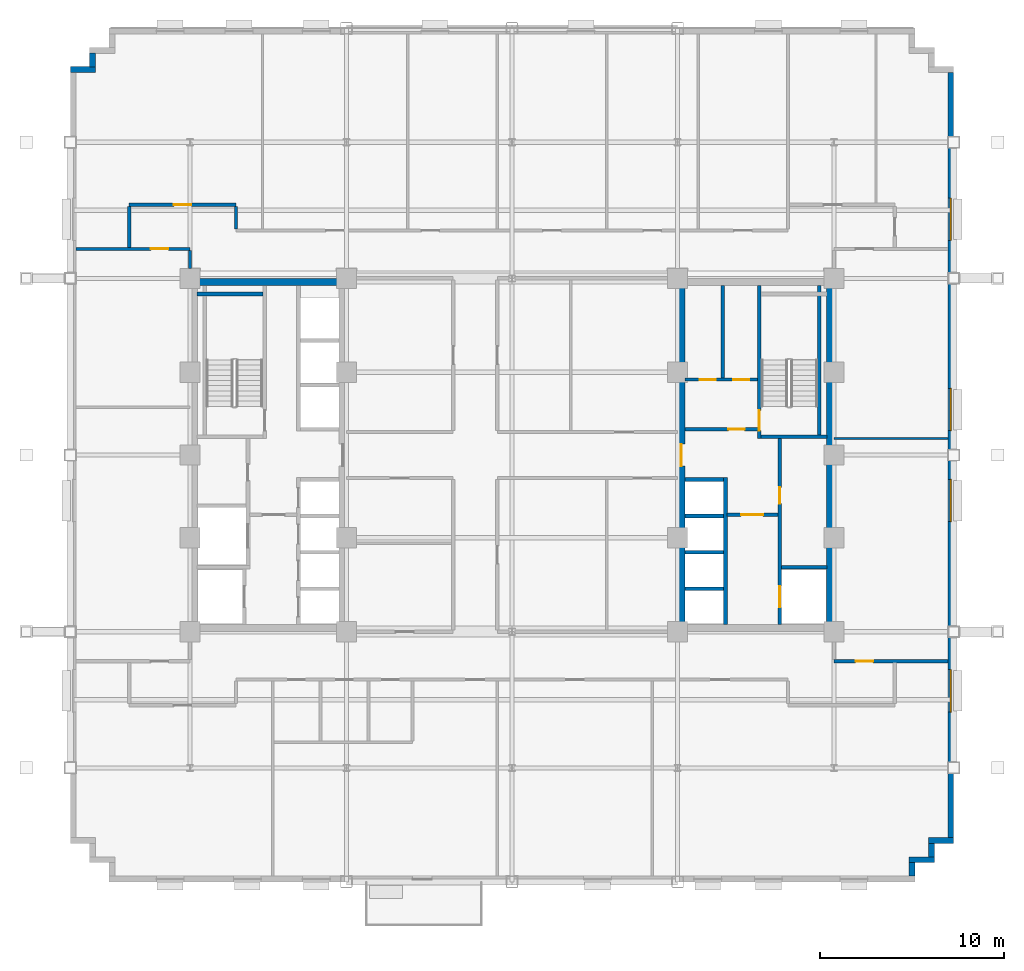
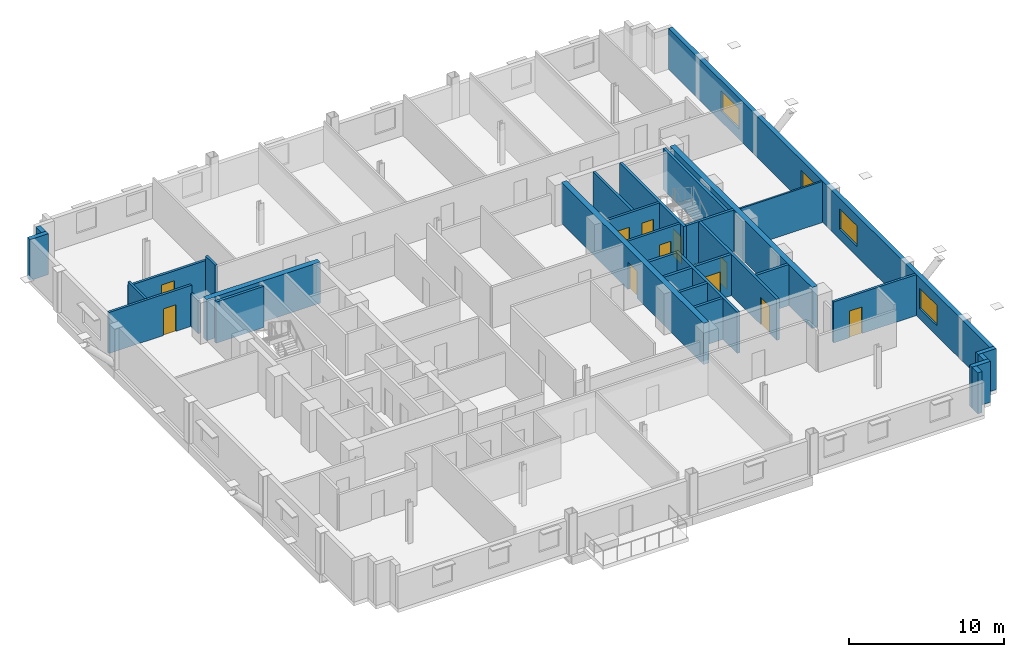
# One storey, part 8 of 14: 32 walls, 11 doors, 4 windows, 15 openings.
"""IFC4 building model written with IfcOpenShell, lengths in metres."""

from ifc_helpers import new_model, si_unit, direction, frame, frame_2d, origin, place, context, subcontext, project, spatial, rectangle, extrude, source, transform, mapped, material, layer, layer_set, type_object, type_shapes, element, fill, save


model = new_model("IFC4")

# Units and contexts
model_context = context("Model", 3, precision=1e-05, world=origin(), true_north=direction((0.0, 1.0)))
body_context = subcontext(model_context, "Body", "Model", "MODEL_VIEW")
ifc_project = project(units=[si_unit("LENGTHUNIT", "METRE"), si_unit("AREAUNIT", "SQUARE_METRE"), si_unit("VOLUMEUNIT", "CUBIC_METRE"), si_unit("PLANEANGLEUNIT", "RADIAN"), si_unit("MASSUNIT", "GRAM", prefix="KILO")], contexts=[model_context])

# Site, building, storey
site_placement = place(None, origin())
site = spatial("IfcSite", under=ifc_project, at=site_placement, CompositionType="ELEMENT")
building_placement = place(site_placement, origin())
building = spatial("IfcBuilding", under=site, at=building_placement, Name="Nuvemarco Arch Tower", CompositionType="ELEMENT")
storey_placement = place(building_placement, frame((0.0, 0.0, 112.89990234375)))
storey = spatial("IfcBuildingStorey", under=building, at=storey_placement, Name="L29", CompositionType="ELEMENT", Elevation=112.89990234375)

# Walls
ifc_material_1 = material(Name="Precast concrete C45/55", Category="concrete")
ifc_layer_1 = layer(ifc_material_1, 0.320068359375, Name="EW-MID-320")
ifc_layer_set_1 = layer_set([ifc_layer_1], Name="Precast concrete C45/55")
wall_type_1 = type_object("IfcWallType", Name="EW-MID-320", PredefinedType="STANDARD", material=ifc_layer_set_1)
wall_1_placement = place(storey_placement, frame((21.739990234375, -22.884033203125, 0.0), z_axis=(0.0, 0.0, 1.0), x_axis=(0.0, 1.0, 0.0)))
element("IfcWall", 1, at=wall_1_placement, inside=storey, type_object=wall_type_1, Name="L29 exterior precast facade wall 2", PredefinedType="STANDARD", context=body_context, shape_type="SweptSolid", body=[
    extrude(rectangle(XDim=0.738037109375, YDim=0.320068359375, at=frame_2d((0.369140625, 0.0))), origin(), (0.0, 0.0, 1.0), 3.239990234375),
])
wall_2_placement = place(storey_placement, frame((21.580078125, -21.989990234375, 0.0), z_axis=(0.0, 0.0, 1.0), x_axis=(1.0, 0.0, 0.0)))
element("IfcWall", 2, at=wall_2_placement, inside=storey, type_object=wall_type_1, Name="L29 exterior precast facade wall 3", PredefinedType="STANDARD", context=body_context, shape_type="SweptSolid", body=[
    extrude(rectangle(XDim=1.369873046875, YDim=0.320068359375, at=frame_2d((0.68505859375, 0.0))), origin(), (0.0, 0.0, 1.0), 3.239990234375),
])
wall_3_placement = place(storey_placement, frame((22.7900390625, -21.833984375, 0.0), z_axis=(0.0, 0.0, 1.0), x_axis=(0.0, 1.0, 0.0)))
element("IfcWall", 3, at=wall_3_placement, inside=storey, type_object=wall_type_1, Name="L29 exterior precast facade wall 4", PredefinedType="STANDARD", context=body_context, shape_type="SweptSolid", body=[
    extrude(rectangle(XDim=0.738037109375, YDim=0.320068359375, at=frame_2d((0.369140625, 0.0))), origin(), (0.0, 0.0, 1.0), 3.239990234375),
])
wall_4_placement = place(storey_placement, frame((22.6298828125, -20.93994140625, 0.0), z_axis=(0.0, 0.0, 1.0), x_axis=(1.0, 0.0, 0.0)))
element("IfcWall", 4, at=wall_4_placement, inside=storey, type_object=wall_type_1, Name="L29 exterior precast facade wall 5", PredefinedType="STANDARD", context=body_context, shape_type="SweptSolid", body=[
    extrude(rectangle(XDim=1.3701171875, YDim=0.320068359375, at=frame_2d((0.68505859375, 0.0))), origin(), (0.0, 0.0, 1.0), 3.239990234375),
])

# Wall, openings, windows
wall_5_placement = place(storey_placement, frame((23.840087890625, -20.783935546875, 0.0), z_axis=(0.0, 0.0, 1.0), x_axis=(0.0, 1.0, 0.0)))
wall_5 = element("IfcWall", 5, at=wall_5_placement, inside=storey, type_object=wall_type_1, Name="L29 exterior precast facade wall 6", PredefinedType="STANDARD", context=body_context, shape_type="SweptSolid", body=[
    extrude(rectangle(XDim=41.56787109375, YDim=0.320068359375, at=frame_2d((20.783935546875, 0.0))), origin(), (0.0, 0.0, 1.0), 3.239990234375),
])
opening_1_placement = place(wall_5_placement, frame((6.819091796875, 0.0, 0.800048828125)))
opening_1 = element("IfcOpeningElement", 6, at=opening_1_placement, cuts=wall_5, Name="Opening WN-10", PredefinedType="OPENING", context=body_context, shape_type="SweptSolid", body=[
    extrude(rectangle(XDim=2.300048828125, YDim=1.6201171875, at=frame_2d((1.14990234375, 0.81005859375))), frame((0.0, 0.169921875, 0.0), z_axis=(0.0, -1.0, 0.0), x_axis=(1.0, 0.0, 0.0)), (0.0, 0.0, 1.0), 0.340087890625),
])
opening_2_placement = place(wall_5_placement, frame((17.160888671875, 0.0, 0.800048828125)))
opening_2 = element("IfcOpeningElement", 7, at=opening_2_placement, cuts=wall_5, Name="Opening WN-10", PredefinedType="OPENING", context=body_context, shape_type="SweptSolid", body=[
    extrude(rectangle(XDim=2.300048828125, YDim=1.6201171875, at=frame_2d((1.14990234375, 0.81005859375))), frame((0.0, 0.169921875, 0.0), z_axis=(0.0, -1.0, 0.0), x_axis=(1.0, 0.0, 0.0)), (0.0, 0.0, 1.0), 0.340087890625),
])
opening_3_placement = place(wall_5_placement, frame((22.10693359375, 0.0, 0.800048828125)))
opening_3 = element("IfcOpeningElement", 8, at=opening_3_placement, cuts=wall_5, Name="Opening WN-10", PredefinedType="OPENING", context=body_context, shape_type="SweptSolid", body=[
    extrude(rectangle(XDim=2.300048828125, YDim=1.6201171875, at=frame_2d((1.14990234375, 0.81005859375))), frame((0.0, 0.169921875, 0.0), z_axis=(0.0, -1.0, 0.0), x_axis=(1.0, 0.0, 0.0)), (0.0, 0.0, 1.0), 0.340087890625),
])
opening_4_placement = place(wall_5_placement, frame((32.448974609375, 0.0, 0.800048828125)))
opening_4 = element("IfcOpeningElement", 9, at=opening_4_placement, cuts=wall_5, Name="Opening WN-10", PredefinedType="OPENING", context=body_context, shape_type="SweptSolid", body=[
    extrude(rectangle(XDim=2.300048828125, YDim=1.6201171875, at=frame_2d((1.14990234375, 0.81005859375))), frame((0.0, 0.169921875, 0.0), z_axis=(0.0, -1.0, 0.0), x_axis=(1.0, 0.0, 0.0)), (0.0, 0.0, 1.0), 0.340087890625),
])
ifc_material_2 = material(Name="Insulated solar-control glass", Category="glass")
window_type = type_object("IfcWindowType", Name="WN-STEP-2300x1700", PartitioningType="DOUBLE_PANEL_VERTICAL", PredefinedType="WINDOW", material=ifc_material_2)
shared_shape_1 = source(origin(), body_context, "Body", "SweptSolid", [
    extrude(rectangle(XDim=2.300048828125, YDim=1.6201171875, at=frame_2d((1.14990234375, 0.81005859375))), frame((0.0, 0.030029296875, 0.0), z_axis=(0.0, -1.0, 0.0), x_axis=(1.0, 0.0, 0.0)), (0.0, 0.0, 1.0), 0.06005859375),
])
type_shapes(window_type, [shared_shape_1])
window_1_placement = place(opening_1_placement, origin())
window_1 = element("IfcWindow", 10, at=window_1_placement, inside=storey, type_object=window_type, Name="L29 punched facade window 2", OverallHeight=1.6201171875, OverallWidth=2.300048828125, PartitioningType="SINGLE_PANEL", PredefinedType="WINDOW", context=body_context, shape_type="MappedRepresentation", body=[
    mapped(shared_shape_1, transform((0.0, 0.0, 0.0), scale=1.0)),
])
fill(opening_1, window_1)
window_2_placement = place(opening_2_placement, origin())
window_2 = element("IfcWindow", 11, at=window_2_placement, inside=storey, type_object=window_type, Name="L29 punched facade window 4", OverallHeight=1.6201171875, OverallWidth=2.300048828125, PartitioningType="SINGLE_PANEL", PredefinedType="WINDOW", context=body_context, shape_type="MappedRepresentation", body=[
    mapped(shared_shape_1, transform((0.0, 0.0, 0.0), scale=1.0)),
])
fill(opening_2, window_2)
window_3_placement = place(opening_3_placement, origin())
window_3 = element("IfcWindow", 12, at=window_3_placement, inside=storey, type_object=window_type, Name="L29 punched facade window 5", OverallHeight=1.6201171875, OverallWidth=2.300048828125, PartitioningType="SINGLE_PANEL", PredefinedType="WINDOW", context=body_context, shape_type="MappedRepresentation", body=[
    mapped(shared_shape_1, transform((0.0, 0.0, 0.0), scale=1.0)),
])
fill(opening_3, window_3)
window_4_placement = place(opening_4_placement, origin())
window_4 = element("IfcWindow", 13, at=window_4_placement, inside=storey, type_object=window_type, Name="L29 punched facade window 7", OverallHeight=1.6201171875, OverallWidth=2.300048828125, PartitioningType="SINGLE_PANEL", PredefinedType="WINDOW", context=body_context, shape_type="MappedRepresentation", body=[
    mapped(shared_shape_1, transform((0.0, 0.0, 0.0), scale=1.0)),
])
fill(opening_4, window_4)

# Walls
wall_6_placement = place(storey_placement, frame((-22.7900390625, 21.095947265625, 0.0), z_axis=(0.0, 0.0, 1.0), x_axis=(0.0, 1.0, 0.0)))
element("IfcWall", 14, at=wall_6_placement, inside=storey, type_object=wall_type_1, Name="L29 exterior precast facade wall 14", PredefinedType="STANDARD", context=body_context, shape_type="SweptSolid", body=[
    extrude(rectangle(XDim=0.738037109375, YDim=0.320068359375, at=frame_2d((0.369140625, 0.0))), origin(), (0.0, 0.0, 1.0), 3.239990234375),
])
wall_7_placement = place(storey_placement, frame((-24.0, 20.93994140625, 0.0), z_axis=(0.0, 0.0, 1.0), x_axis=(1.0, 0.0, 0.0)))
element("IfcWall", 15, at=wall_7_placement, inside=storey, type_object=wall_type_1, Name="L29 exterior precast facade wall 15", PredefinedType="STANDARD", context=body_context, shape_type="SweptSolid", body=[
    extrude(rectangle(XDim=1.3701171875, YDim=0.320068359375, at=frame_2d((0.68505859375, 0.0))), origin(), (0.0, 0.0, 1.0), 3.239990234375),
])
ifc_material_3 = material(Name="Concrete C60/75", Category="concrete")
ifc_layer_2 = layer(ifc_material_3, 0.39990234375, Name="WL-CORE-400")
ifc_layer_set_2 = layer_set([ifc_layer_2], Name="Concrete C60/75")
wall_type_2 = type_object("IfcWallType", Name="WL-CORE-400", PredefinedType="SHEAR", material=ifc_layer_set_2)
wall_8_placement = place(storey_placement, frame((-17.5, 9.39990234375, 0.0), z_axis=(0.0, 0.0, 1.0), x_axis=(1.0, 0.0, 0.0)))
element("IfcWall", 16, at=wall_8_placement, inside=storey, type_object=wall_type_2, Name="L29 W-core shear wall N", PredefinedType="SHEAR", context=body_context, shape_type="SweptSolid", body=[
    extrude(rectangle(XDim=8.5, YDim=0.39990234375, at=frame_2d((4.25, 0.0))), origin(), (0.0, 0.0, 1.0), 3.25),
])

# Wall, opening, door
wall_9_placement = place(storey_placement, frame((9.199951171875, -9.205078125, 0.0), z_axis=(0.0, 0.0, 1.0), x_axis=(0.0, 1.0, 0.0)))
wall_9 = element("IfcWall", 17, at=wall_9_placement, inside=storey, type_object=wall_type_2, Name="L29 E-core shear wall W", PredefinedType="SHEAR", context=body_context, shape_type="SweptSolid", body=[
    extrude(rectangle(XDim=18.41015625, YDim=0.39990234375, at=frame_2d((9.205078125, 0.0))), origin(), (0.0, 0.0, 1.0), 3.25),
])
opening_5_placement = place(wall_9_placement, frame((8.60498046875, 0.0, 0.0)))
opening_5 = element("IfcOpeningElement", 18, at=opening_5_placement, cuts=wall_9, Name="Opening FD-2", PredefinedType="OPENING", context=body_context, shape_type="SweptSolid", body=[
    extrude(rectangle(XDim=1.199951171875, YDim=2.14990234375, at=frame_2d((0.60009765625, 1.074951171875))), frame((0.0, 0.2099609375, 0.0), z_axis=(0.0, -1.0, 0.0), x_axis=(1.0, 0.0, 0.0)), (0.0, 0.0, 1.0), 0.419921875),
])
ifc_material_4 = material(Name="Anodised steel fire door", Category="steel")
door_type_1 = type_object("IfcDoorType", Name="DR-FFLOB-FD", OperationType="NOTDEFINED", PredefinedType="DOOR", material=ifc_material_4)
shared_shape_2 = source(origin(), body_context, "Body", "SweptSolid", [
    extrude(rectangle(XDim=1.199951171875, YDim=2.14990234375, at=frame_2d((0.60009765625, 1.074951171875))), frame((0.0, 0.02490234375, 0.0), z_axis=(0.0, -1.0, 0.0), x_axis=(1.0, 0.0, 0.0)), (0.0, 0.0, 1.0), 0.050048828125),
])
type_shapes(door_type_1, [shared_shape_2])
door_1_placement = place(opening_5_placement, origin())
door_1 = element("IfcDoor", 19, at=door_1_placement, inside=storey, type_object=door_type_1, Name="L29 door FD-L29-ECORE-W", OperationType="SINGLE_SWING_RIGHT", OverallHeight=2.14990234375, OverallWidth=1.199951171875, PredefinedType="DOOR", context=body_context, shape_type="MappedRepresentation", body=[
    mapped(shared_shape_2, transform((0.0, 0.0, 0.0), scale=1.0)),
])
fill(opening_5, door_1)

# Wall
wall_10_placement = place(storey_placement, frame((17.300048828125, -9.205078125, 0.0), z_axis=(0.0, 0.0, 1.0), x_axis=(0.0, 1.0, 0.0)))
element("IfcWall", 20, at=wall_10_placement, inside=storey, type_object=wall_type_2, Name="L29 E-core shear wall E", PredefinedType="SHEAR", context=body_context, shape_type="SweptSolid", body=[
    extrude(rectangle(XDim=18.41015625, YDim=0.39990234375, at=frame_2d((9.205078125, 0.0))), origin(), (0.0, 0.0, 1.0), 3.25),
])

# Wall, opening, door
ifc_material_5 = material(Name="Fire-rated gypsum drywall partition")
ifc_layer_3 = layer(ifc_material_5, 0.179931640625, Name="WL-CORR-180")
ifc_layer_set_3 = layer_set([ifc_layer_3], Name="Fire-rated gypsum drywall partition")
wall_type_3 = type_object("IfcWallType", Name="WL-CORR-180", PredefinedType="PARTITIONING", material=ifc_layer_set_3)
wall_11_placement = place(storey_placement, frame((9.39501953125, 1.39990234375, 0.0), z_axis=(0.0, 0.0, 1.0), x_axis=(1.0, 0.0, 0.0)))
wall_11 = element("IfcWall", 21, at=wall_11_placement, inside=storey, type_object=wall_type_3, Name="L29 interior wall IW-L29-EK-S", PredefinedType="PARTITIONING", context=body_context, shape_type="SweptSolid", body=[
    extrude(rectangle(XDim=3.949951171875, YDim=0.179931640625, at=frame_2d((1.97509765625, 0.0))), origin(), (0.0, 0.0, 1.0), 3.239990234375),
])
opening_6_placement = place(wall_11_placement, frame((2.364990234375, 0.0, 0.0)))
opening_6 = element("IfcOpeningElement", 22, at=opening_6_placement, cuts=wall_11, Name="Opening FD-4", PredefinedType="OPENING", context=body_context, shape_type="SweptSolid", body=[
    extrude(rectangle(XDim=0.8798828125, YDim=2.10009765625, at=frame_2d((0.43994140625, 1.050048828125))), frame((0.0, 0.099853515625, 0.0), z_axis=(0.0, -1.0, 0.0), x_axis=(1.0, 0.0, 0.0)), (0.0, 0.0, 1.0), 0.199951171875),
])
door_type_2 = type_object("IfcDoorType", Name="DR-RISER-FD", OperationType="NOTDEFINED", PredefinedType="DOOR", material=ifc_material_4)
shared_shape_3 = source(origin(), body_context, "Body", "SweptSolid", [
    extrude(rectangle(XDim=0.8798828125, YDim=2.10009765625, at=frame_2d((0.43994140625, 1.050048828125))), frame((0.0, 0.02490234375, 0.0), z_axis=(0.0, -1.0, 0.0), x_axis=(1.0, 0.0, 0.0)), (0.0, 0.0, 1.0), 0.050048828125),
])
type_shapes(door_type_2, [shared_shape_3])
door_2_placement = place(opening_6_placement, origin())
door_2 = element("IfcDoor", 23, at=door_2_placement, inside=storey, type_object=door_type_2, Name="L29 door FD-L29-EK3A", OperationType="SINGLE_SWING_LEFT", OverallHeight=2.10009765625, OverallWidth=0.8798828125, PredefinedType="DOOR", context=body_context, shape_type="MappedRepresentation", body=[
    mapped(shared_shape_3, transform((0.0, 0.0, 0.0), scale=1.0)),
])
fill(opening_6, door_2)

# Wall, openings, doors
wall_12_placement = place(storey_placement, frame((9.39501953125, 4.10009765625, 0.0), z_axis=(0.0, 0.0, 1.0), x_axis=(1.0, 0.0, 0.0)))
wall_12 = element("IfcWall", 24, at=wall_12_placement, inside=storey, type_object=wall_type_3, Name="L29 interior wall IW-L29-EK3H", PredefinedType="PARTITIONING", context=body_context, shape_type="SweptSolid", body=[
    extrude(rectangle(XDim=3.949951171875, YDim=0.179931640625, at=frame_2d((1.97509765625, 0.0))), origin(), (0.0, 0.0, 1.0), 3.239990234375),
])
opening_7_placement = place(wall_12_placement, frame((0.800048828125, 0.0, 0.0)))
opening_7 = element("IfcOpeningElement", 25, at=opening_7_placement, cuts=wall_12, Name="Opening FD-4", PredefinedType="OPENING", context=body_context, shape_type="SweptSolid", body=[
    extrude(rectangle(XDim=0.8798828125, YDim=2.10009765625, at=frame_2d((0.43994140625, 1.050048828125))), frame((0.0, 0.099853515625, 0.0), z_axis=(0.0, -1.0, 0.0), x_axis=(1.0, 0.0, 0.0)), (0.0, 0.0, 1.0), 0.199951171875),
])
opening_8_placement = place(wall_12_placement, frame((2.614990234375, 0.0, 0.0)))
opening_8 = element("IfcOpeningElement", 26, at=opening_8_placement, cuts=wall_12, Name="Opening FD-4", PredefinedType="OPENING", context=body_context, shape_type="SweptSolid", body=[
    extrude(rectangle(XDim=0.8798828125, YDim=2.10009765625, at=frame_2d((0.43994140625, 1.050048828125))), frame((0.0, 0.099853515625, 0.0), z_axis=(0.0, -1.0, 0.0), x_axis=(1.0, 0.0, 0.0)), (0.0, 0.0, 1.0), 0.199951171875),
])
door_3_placement = place(opening_7_placement, origin())
door_3 = element("IfcDoor", 27, at=door_3_placement, inside=storey, type_object=door_type_2, Name="L29 door FD-L29-EK3B", OperationType="SINGLE_SWING_RIGHT", OverallHeight=2.10009765625, OverallWidth=0.8798828125, PredefinedType="DOOR", context=body_context, shape_type="MappedRepresentation", body=[
    mapped(shared_shape_3, transform((0.0, 0.0, 0.0), scale=1.0)),
])
fill(opening_7, door_3)
door_4_placement = place(opening_8_placement, origin())
door_4 = element("IfcDoor", 28, at=door_4_placement, inside=storey, type_object=door_type_2, Name="L29 door FD-L29-EK3C", OperationType="SINGLE_SWING_LEFT", OverallHeight=2.10009765625, OverallWidth=0.8798828125, PredefinedType="DOOR", context=body_context, shape_type="MappedRepresentation", body=[
    mapped(shared_shape_3, transform((0.0, 0.0, 0.0), scale=1.0)),
])
fill(opening_8, door_4)

# Wall
wall_13_placement = place(storey_placement, frame((11.449951171875, 4.18994140625, 0.0), z_axis=(0.0, 0.0, 1.0), x_axis=(0.0, 1.0, 0.0)))
element("IfcWall", 29, at=wall_13_placement, inside=storey, type_object=wall_type_3, Name="L29 interior wall IW-L29-EK3V", PredefinedType="PARTITIONING", context=body_context, shape_type="SweptSolid", body=[
    extrude(rectangle(XDim=5.01513671875, YDim=0.179931640625, at=frame_2d((2.507568359375, 0.0))), origin(), (0.0, 0.0, 1.0), 3.239990234375),
])

# Wall, opening, door
wall_14_placement = place(storey_placement, frame((17.5, -11.199951171875, 0.0), z_axis=(0.0, 0.0, 1.0), x_axis=(1.0, 0.0, 0.0)))
wall_14 = element("IfcWall", 30, at=wall_14_placement, inside=storey, type_object=wall_type_3, Name="L29 interior wall IW-L29-006", PredefinedType="PARTITIONING", context=body_context, shape_type="SweptSolid", body=[
    extrude(rectangle(XDim=6.179931640625, YDim=0.179931640625, at=frame_2d((3.08984375, 0.0))), origin(), (0.0, 0.0, 1.0), 3.239990234375),
])
opening_9_placement = place(wall_14_placement, frame((1.169921875, 0.0, 0.0)))
opening_9 = element("IfcOpeningElement", 31, at=opening_9_placement, cuts=wall_14, Name="Opening FD-5", PredefinedType="OPENING", context=body_context, shape_type="SweptSolid", body=[
    extrude(rectangle(XDim=0.9599609375, YDim=2.10009765625, at=frame_2d((0.47998046875, 1.050048828125))), frame((0.0, 0.099853515625, 0.0), z_axis=(0.0, -1.0, 0.0), x_axis=(1.0, 0.0, 0.0)), (0.0, 0.0, 1.0), 0.199951171875),
])
ifc_material_6 = material(Name="Timber fire door", Category="wood")
door_type_3 = type_object("IfcDoorType", Name="DR-CORR-FD", OperationType="NOTDEFINED", PredefinedType="DOOR", material=ifc_material_6)
shared_shape_4 = source(origin(), body_context, "Body", "SweptSolid", [
    extrude(rectangle(XDim=0.9599609375, YDim=2.10009765625, at=frame_2d((0.47998046875, 1.050048828125))), frame((0.0, 0.02490234375, 0.0), z_axis=(0.0, -1.0, 0.0), x_axis=(1.0, 0.0, 0.0)), (0.0, 0.0, 1.0), 0.050048828125),
])
type_shapes(door_type_3, [shared_shape_4])
door_5_placement = place(opening_9_placement, origin())
door_5 = element("IfcDoor", 32, at=door_5_placement, inside=storey, type_object=door_type_3, Name="L29 door DR-L29-E_1", OperationType="SINGLE_SWING_RIGHT", OverallHeight=2.10009765625, OverallWidth=0.9599609375, PredefinedType="DOOR", context=body_context, shape_type="MappedRepresentation", body=[
    mapped(shared_shape_4, transform((0.0, 0.0, 0.0), scale=1.0)),
])
fill(opening_9, door_5)

wall_15_placement = place(storey_placement, frame((-23.679931640625, 11.199951171875, 0.0), z_axis=(0.0, 0.0, 1.0), x_axis=(1.0, 0.0, 0.0)))
wall_15 = element("IfcWall", 33, at=wall_15_placement, inside=storey, type_object=wall_type_3, Name="L29 interior wall IW-L29-020", PredefinedType="PARTITIONING", context=body_context, shape_type="SweptSolid", body=[
    extrude(rectangle(XDim=6.179931640625, YDim=0.179931640625, at=frame_2d((3.08984375, 0.0))), origin(), (0.0, 0.0, 1.0), 3.239990234375),
])
opening_10_placement = place(wall_15_placement, frame((4.050048828125, 0.0, 0.0)))
opening_10 = element("IfcOpeningElement", 34, at=opening_10_placement, cuts=wall_15, Name="Opening FD-5", PredefinedType="OPENING", context=body_context, shape_type="SweptSolid", body=[
    extrude(rectangle(XDim=0.9599609375, YDim=2.10009765625, at=frame_2d((0.47998046875, 1.050048828125))), frame((0.0, 0.099853515625, 0.0), z_axis=(0.0, -1.0, 0.0), x_axis=(1.0, 0.0, 0.0)), (0.0, 0.0, 1.0), 0.199951171875),
])
door_6_placement = place(opening_10_placement, origin())
door_6 = element("IfcDoor", 35, at=door_6_placement, inside=storey, type_object=door_type_3, Name="L29 door DR-L29-W_2", OperationType="SINGLE_SWING_LEFT", OverallHeight=2.10009765625, OverallWidth=0.9599609375, PredefinedType="DOOR", context=body_context, shape_type="MappedRepresentation", body=[
    mapped(shared_shape_4, transform((0.0, 0.0, 0.0), scale=1.0)),
])
fill(opening_10, door_6)

wall_16_placement = place(storey_placement, frame((-20.800048828125, 13.60009765625, 0.0), z_axis=(0.0, 0.0, 1.0), x_axis=(1.0, 0.0, 0.0)))
wall_16 = element("IfcWall", 36, at=wall_16_placement, inside=storey, type_object=wall_type_3, Name="L29 interior wall IW-L29-023", PredefinedType="PARTITIONING", context=body_context, shape_type="SweptSolid", body=[
    extrude(rectangle(XDim=5.800048828125, YDim=0.179931640625, at=frame_2d((2.89990234375, 0.0))), origin(), (0.0, 0.0, 1.0), 2.878173828125),
])
opening_11_placement = place(wall_16_placement, frame((2.419921875, 0.0, 0.0)))
opening_11 = element("IfcOpeningElement", 37, at=opening_11_placement, cuts=wall_16, Name="Opening FD-5", PredefinedType="OPENING", context=body_context, shape_type="SweptSolid", body=[
    extrude(rectangle(XDim=0.9599609375, YDim=2.10009765625, at=frame_2d((0.47998046875, 1.050048828125))), frame((0.0, 0.099853515625, 0.0), z_axis=(0.0, -1.0, 0.0), x_axis=(1.0, 0.0, 0.0)), (0.0, 0.0, 1.0), 0.199951171875),
])
door_7_placement = place(opening_11_placement, origin())
door_7 = element("IfcDoor", 38, at=door_7_placement, inside=storey, type_object=door_type_3, Name="L29 door DR-L29-N_1", OperationType="SINGLE_SWING_LEFT", OverallHeight=2.10009765625, OverallWidth=0.9599609375, PredefinedType="DOOR", context=body_context, shape_type="MappedRepresentation", body=[
    mapped(shared_shape_4, transform((0.0, 0.0, 0.0), scale=1.0)),
])
fill(opening_11, door_7)

# Walls
wall_17_placement = place(storey_placement, frame((-20.800048828125, 11.285888671875, 0.0), z_axis=(0.0, 0.0, 1.0), x_axis=(0.0, 1.0, 0.0)))
element("IfcWall", 39, at=wall_17_placement, inside=storey, type_object=wall_type_3, Name="L29 interior wall IW-L29-026", PredefinedType="PARTITIONING", context=body_context, shape_type="SweptSolid", body=[
    extrude(rectangle(XDim=2.22802734375, YDim=0.179931640625, at=frame_2d((1.114013671875, 0.0))), origin(), (0.0, 0.0, 1.0), 3.239990234375),
])
wall_18_placement = place(storey_placement, frame((-17.5, 10.14599609375, 0.0), z_axis=(0.0, 0.0, 1.0), x_axis=(0.0, 1.0, 0.0)))
element("IfcWall", 40, at=wall_18_placement, inside=storey, type_object=wall_type_3, Name="L29 interior wall IW-L29-028", PredefinedType="PARTITIONING", context=body_context, shape_type="SweptSolid", body=[
    extrude(rectangle(XDim=0.968017578125, YDim=0.179931640625, at=frame_2d((0.48388671875, 0.0))), origin(), (0.0, 0.0, 1.0), 2.6181640625),
])
wall_19_placement = place(storey_placement, frame((-15.0, 12.285888671875, 0.0), z_axis=(0.0, 0.0, 1.0), x_axis=(0.0, 1.0, 0.0)))
element("IfcWall", 41, at=wall_19_placement, inside=storey, type_object=wall_type_3, Name="L29 interior wall IW-L29-030", PredefinedType="PARTITIONING", context=body_context, shape_type="SweptSolid", body=[
    extrude(rectangle(XDim=1.22802734375, YDim=0.179931640625, at=frame_2d((0.614013671875, 0.0))), origin(), (0.0, 0.0, 1.0), 3.239990234375),
])
ifc_material_7 = material(Name="Glazed acoustic office partition")
ifc_layer_4 = layer(ifc_material_7, 0.1298828125, Name="WL-EXEC-130")
ifc_layer_set_4 = layer_set([ifc_layer_4], Name="Glazed acoustic office partition")
wall_type_4 = type_object("IfcWallType", Name="WL-EXEC-130", PredefinedType="PARTITIONING", material=ifc_layer_set_4)
wall_20_placement = place(storey_placement, frame((17.5, 0.89990234375, 0.0), z_axis=(0.0, 0.0, 1.0), x_axis=(1.0, 0.0, 0.0)))
element("IfcWall", 42, at=wall_20_placement, inside=storey, type_object=wall_type_4, Name="L29 interior wall IW-L29-013", PredefinedType="PARTITIONING", context=body_context, shape_type="SweptSolid", body=[
    extrude(rectangle(XDim=6.179931640625, YDim=0.1298828125, at=frame_2d((3.08984375, 0.0))), origin(), (0.0, 0.0, 1.0), 3.239990234375),
])
ifc_material_8 = material(Name="Concrete C50/60", Category="concrete")
ifc_layer_5 = layer(ifc_material_8, 0.199951171875, Name="WL-SHAFT-220")
ifc_layer_set_5 = layer_set([ifc_layer_5], Name="Concrete C50/60")
wall_type_5 = type_object("IfcWallType", Name="WL-SHAFT-220", PredefinedType="SHEAR", material=ifc_layer_set_5)
wall_21_placement = place(storey_placement, frame((-17.10498046875, 8.75, 0.0), z_axis=(0.0, 0.0, 1.0), x_axis=(1.0, 0.0, 0.0)))
element("IfcWall", 43, at=wall_21_placement, inside=storey, type_object=wall_type_5, Name="L29 structural shaft wall SW-L29-W-ST1N", PredefinedType="SHEAR", context=body_context, shape_type="SweptSolid", body=[
    extrude(rectangle(XDim=3.570068359375, YDim=0.199951171875, at=frame_2d((1.78515625, 0.0))), origin(), (0.0, 0.0, 1.0), 3.25),
])

# Wall, opening, door
wall_22_placement = place(storey_placement, frame((13.43994140625, 0.89990234375, 0.0), z_axis=(0.0, 0.0, 1.0), x_axis=(0.0, 1.0, 0.0)))
wall_22 = element("IfcWall", 44, at=wall_22_placement, inside=storey, type_object=wall_type_5, Name="L29 structural shaft wall SW-L29-E-ST2W", PredefinedType="SHEAR", context=body_context, shape_type="SweptSolid", body=[
    extrude(rectangle(XDim=8.30517578125, YDim=0.199951171875, at=frame_2d((4.152587890625, 0.0))), origin(), (0.0, 0.0, 1.0), 3.25),
])
opening_12_placement = place(wall_22_placement, frame((0.429931640625, 0.0, 0.0)))
opening_12 = element("IfcOpeningElement", 45, at=opening_12_placement, cuts=wall_22, Name="Opening FD-1", PredefinedType="OPENING", context=body_context, shape_type="SweptSolid", body=[
    extrude(rectangle(XDim=1.10009765625, YDim=2.14990234375, at=frame_2d((0.550048828125, 1.074951171875))), frame((0.0, 0.10986328125, 0.0), z_axis=(0.0, -1.0, 0.0), x_axis=(1.0, 0.0, 0.0)), (0.0, 0.0, 1.0), 0.219970703125),
])
door_type_4 = type_object("IfcDoorType", Name="DR-STAIR-FD", OperationType="NOTDEFINED", PredefinedType="DOOR", material=ifc_material_4)
shared_shape_5 = source(origin(), body_context, "Body", "SweptSolid", [
    extrude(rectangle(XDim=1.10009765625, YDim=2.14990234375, at=frame_2d((0.550048828125, 1.074951171875))), frame((0.0, 0.02490234375, 0.0), z_axis=(0.0, -1.0, 0.0), x_axis=(1.0, 0.0, 0.0)), (0.0, 0.0, 1.0), 0.050048828125),
])
type_shapes(door_type_4, [shared_shape_5])
door_8_placement = place(opening_12_placement, origin())
door_8 = element("IfcDoor", 46, at=door_8_placement, inside=storey, type_object=door_type_4, Name="L29 door FD-L29-ST2", OperationType="SINGLE_SWING_RIGHT", OverallHeight=2.14990234375, OverallWidth=1.10009765625, PredefinedType="DOOR", context=body_context, shape_type="MappedRepresentation", body=[
    mapped(shared_shape_5, transform((0.0, 0.0, 0.0), scale=1.0)),
])
fill(opening_12, door_8)

# Walls
wall_23_placement = place(storey_placement, frame((13.534912109375, 1.0, 0.0), z_axis=(0.0, 0.0, 1.0), x_axis=(1.0, 0.0, 0.0)))
element("IfcWall", 47, at=wall_23_placement, inside=storey, type_object=wall_type_5, Name="L29 structural shaft wall SW-L29-E-ST2S", PredefinedType="SHEAR", context=body_context, shape_type="SweptSolid", body=[
    extrude(rectangle(XDim=3.570068359375, YDim=0.199951171875, at=frame_2d((1.78515625, 0.0))), origin(), (0.0, 0.0, 1.0), 3.25),
])
wall_24_placement = place(storey_placement, frame((16.699951171875, 1.094970703125, 0.0), z_axis=(0.0, 0.0, 1.0), x_axis=(0.0, 1.0, 0.0)))
element("IfcWall", 48, at=wall_24_placement, inside=storey, type_object=wall_type_5, Name="L29 structural shaft wall SW-L29-E-ST2E", PredefinedType="SHEAR", context=body_context, shape_type="SweptSolid", body=[
    extrude(rectangle(XDim=8.110107421875, YDim=0.199951171875, at=frame_2d((4.05517578125, 0.0))), origin(), (0.0, 0.0, 1.0), 3.25),
])

# Wall, openings, doors
wall_25_placement = place(storey_placement, frame((14.550048828125, -9.205078125, 0.0), z_axis=(0.0, 0.0, 1.0), x_axis=(0.0, 1.0, 0.0)))
wall_25 = element("IfcWall", 49, at=wall_25_placement, inside=storey, type_object=wall_type_5, Name="L29 structural shaft wall SW-L29-E-SHW", PredefinedType="SHEAR", context=body_context, shape_type="SweptSolid", body=[
    extrude(rectangle(XDim=10.110107421875, YDim=0.199951171875, at=frame_2d((5.05517578125, 0.0))), origin(), (0.0, 0.0, 1.0), 3.25),
])
opening_13_placement = place(wall_25_placement, frame((6.56494140625, 0.0, 0.0)))
opening_13 = element("IfcOpeningElement", 50, at=opening_13_placement, cuts=wall_25, Name="Opening FD-4", PredefinedType="OPENING", context=body_context, shape_type="SweptSolid", body=[
    extrude(rectangle(XDim=0.8798828125, YDim=2.10009765625, at=frame_2d((0.43994140625, 1.050048828125))), frame((0.0, 0.10986328125, 0.0), z_axis=(0.0, -1.0, 0.0), x_axis=(1.0, 0.0, 0.0)), (0.0, 0.0, 1.0), 0.219970703125),
])
opening_14_placement = place(wall_25_placement, frame((0.929931640625, 0.0, 0.0)))
opening_14 = element("IfcOpeningElement", 51, at=opening_14_placement, cuts=wall_25, Name="Opening LD-2", PredefinedType="OPENING", context=body_context, shape_type="SweptSolid", body=[
    extrude(rectangle(XDim=1.14990234375, YDim=2.14990234375, at=frame_2d((0.574951171875, 1.074951171875))), frame((0.0, 0.10986328125, 0.0), z_axis=(0.0, -1.0, 0.0), x_axis=(1.0, 0.0, 0.0)), (0.0, 0.0, 1.0), 0.219970703125),
])
door_9_placement = place(opening_13_placement, origin())
door_9 = element("IfcDoor", 52, at=door_9_placement, inside=storey, type_object=door_type_2, Name="L29 door FD-L29-ERIS", OperationType="SINGLE_SWING_RIGHT", OverallHeight=2.10009765625, OverallWidth=0.8798828125, PredefinedType="DOOR", context=body_context, shape_type="MappedRepresentation", body=[
    mapped(shared_shape_3, transform((0.0, 0.0, 0.0), scale=1.0)),
])
fill(opening_13, door_9)
ifc_material_9 = material(Name="Stainless steel lift door", Category="steel")
door_type_5 = type_object("IfcDoorType", Name="DR-LIFT-FIRE", OperationType="DOUBLE_DOOR_SLIDING", PredefinedType="DOOR", material=ifc_material_9)
shared_shape_6 = source(origin(), body_context, "Body", "SweptSolid", [
    extrude(rectangle(XDim=1.14990234375, YDim=2.14990234375, at=frame_2d((0.574951171875, 1.074951171875))), frame((0.0, 0.02490234375, 0.0), z_axis=(0.0, -1.0, 0.0), x_axis=(1.0, 0.0, 0.0)), (0.0, 0.0, 1.0), 0.050048828125),
])
type_shapes(door_type_5, [shared_shape_6])
door_10_placement = place(opening_14_placement, origin())
door_10 = element("IfcDoor", 53, at=door_10_placement, inside=storey, type_object=door_type_5, Name="L29 Lift landing sliding door FFL-2", OperationType="DOUBLE_DOOR_SLIDING", OverallHeight=2.14990234375, OverallWidth=1.14990234375, PredefinedType="DOOR", context=body_context, shape_type="MappedRepresentation", body=[
    mapped(shared_shape_6, transform((0.0, 0.0, 0.0), scale=1.0)),
])
fill(opening_14, door_10)

# Walls
wall_26_placement = place(storey_placement, frame((14.64501953125, -6.10009765625, 0.0), z_axis=(0.0, 0.0, 1.0), x_axis=(1.0, 0.0, 0.0)))
element("IfcWall", 54, at=wall_26_placement, inside=storey, type_object=wall_type_5, Name="L29 structural shaft wall SW-L29-E-SH1", PredefinedType="SHEAR", context=body_context, shape_type="SweptSolid", body=[
    extrude(rectangle(XDim=2.4599609375, YDim=0.199951171875, at=frame_2d((1.22998046875, 0.0))), origin(), (0.0, 0.0, 1.0), 3.25),
])
wall_27_placement = place(storey_placement, frame((11.60009765625, -9.205078125, 0.0), z_axis=(0.0, 0.0, 1.0), x_axis=(0.0, 1.0, 0.0)))
element("IfcWall", 55, at=wall_27_placement, inside=storey, type_object=wall_type_5, Name="L29 structural shaft wall SW-L29-E-PME", PredefinedType="SHEAR", context=body_context, shape_type="SweptSolid", body=[
    extrude(rectangle(XDim=7.97509765625, YDim=0.199951171875, at=frame_2d((3.987548828125, 0.0))), origin(), (0.0, 0.0, 1.0), 3.25),
])

# Wall, opening, door
wall_28_placement = place(storey_placement, frame((11.695068359375, -3.25, 0.0), z_axis=(0.0, 0.0, 1.0), x_axis=(1.0, 0.0, 0.0)))
wall_28 = element("IfcWall", 56, at=wall_28_placement, inside=storey, type_object=wall_type_5, Name="L29 structural shaft wall SW-L29-E-FFN", PredefinedType="SHEAR", context=body_context, shape_type="SweptSolid", body=[
    extrude(rectangle(XDim=2.760009765625, YDim=0.199951171875, at=frame_2d((1.3798828125, 0.0))), origin(), (0.0, 0.0, 1.0), 3.25),
])
opening_15_placement = place(wall_28_placement, frame((0.7548828125, 0.0, 0.0)))
opening_15 = element("IfcOpeningElement", 57, at=opening_15_placement, cuts=wall_28, Name="Opening FD-2", PredefinedType="OPENING", context=body_context, shape_type="SweptSolid", body=[
    extrude(rectangle(XDim=1.199951171875, YDim=2.14990234375, at=frame_2d((0.60009765625, 1.074951171875))), frame((0.0, 0.10986328125, 0.0), z_axis=(0.0, -1.0, 0.0), x_axis=(1.0, 0.0, 0.0)), (0.0, 0.0, 1.0), 0.219970703125),
])
door_11_placement = place(opening_15_placement, origin())
door_11 = element("IfcDoor", 58, at=door_11_placement, inside=storey, type_object=door_type_1, Name="L29 door FD-L29-EFF2", OperationType="SINGLE_SWING_RIGHT", OverallHeight=2.14990234375, OverallWidth=1.199951171875, PredefinedType="DOOR", context=body_context, shape_type="MappedRepresentation", body=[
    mapped(shared_shape_2, transform((0.0, 0.0, 0.0), scale=1.0)),
])
fill(opening_15, door_11)

# Walls
for number, where, z_axis, x_axis, name in (
    (59, (9.39501953125, -7.27001953125, 0.0), (0.0, 0.0, 1.0), (1.0, 0.0, 0.0), "L29 structural shaft wall SW-L29-E-PMD1"),
    (60, (9.39501953125, -5.2900390625, 0.0), (0.0, 0.0, 1.0), (1.0, 0.0, 0.0), "L29 structural shaft wall SW-L29-E-PMD2"),
    (61, (9.39501953125, -3.31005859375, 0.0), (0.0, 0.0, 1.0), (1.0, 0.0, 0.0), "L29 structural shaft wall SW-L29-E-PMD3"),
    (62, (9.39501953125, -1.330078125, 0.0), (0.0, 0.0, 1.0), (1.0, 0.0, 0.0), "L29 structural shaft wall SW-L29-E-PMD4"),
):
    element("IfcWall", number, at=place(storey_placement, frame(where, z_axis=z_axis, x_axis=x_axis)), inside=storey, type_object=wall_type_5, Name=name, PredefinedType="SHEAR", context=body_context, shape_type="SweptSolid", body=[
        extrude(rectangle(XDim=2.10986328125, YDim=0.199951171875, at=frame_2d((1.054931640625, 0.0))), origin(), (0.0, 0.0, 1.0), 3.25),
    ])

save(model, "model.ifc")
